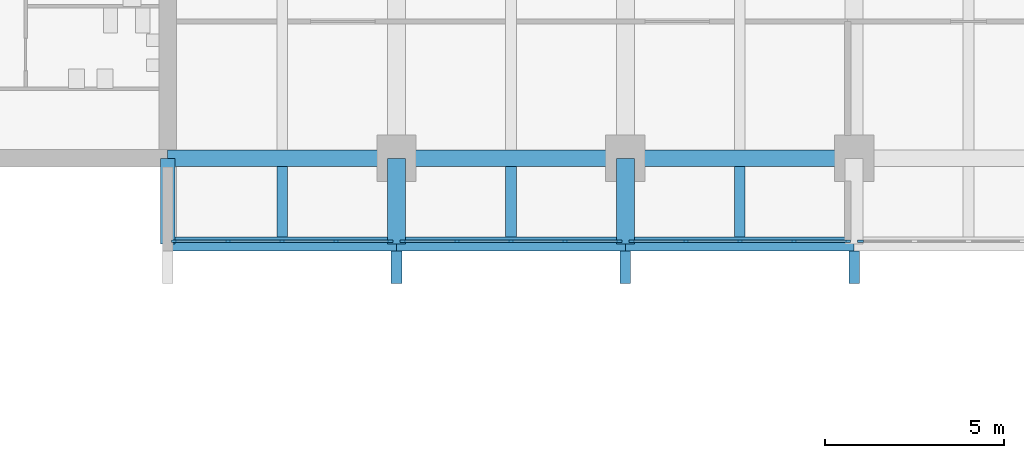
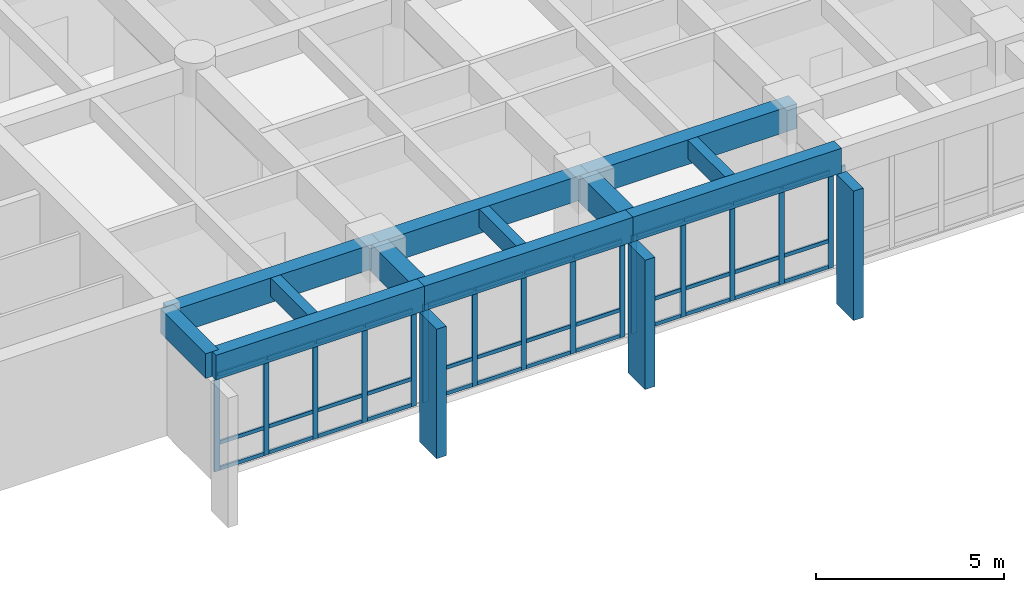
# One storey, part 2 of 18: 55 members, 12 beams, 4 elements without a shape of their own.
"""IFC4 building model written with IfcOpenShell, lengths in metres."""

from ifc_helpers import new_model, si_unit, direction, frame, origin, origin_2d, place, context, subcontext, project, spatial, rectangle, extrude, material, layer, layer_set, material_profile, profile_set, type_object, element, aggregate, save


model = new_model("IFC4")

# Units and contexts
model_context = context("Model", 3, precision=1e-05, world=origin(), true_north=direction((0.0, 1.0)))
body_context = subcontext(model_context, "Body", "Model", "MODEL_VIEW")
ifc_project = project(units=[si_unit("LENGTHUNIT", "METRE"), si_unit("AREAUNIT", "SQUARE_METRE"), si_unit("VOLUMEUNIT", "CUBIC_METRE"), si_unit("PLANEANGLEUNIT", "RADIAN"), si_unit("MASSUNIT", "GRAM", prefix="KILO")], contexts=[model_context])

# Site, building, storey
site_placement = place(None, origin())
site = spatial("IfcSite", under=ifc_project, at=site_placement, CompositionType="ELEMENT")
building_placement = place(site_placement, origin())
building = spatial("IfcBuilding", under=site, at=building_placement, Name="Fogon Plaza Fire Station and Headquarters Tower", CompositionType="ELEMENT")
storey_placement = place(building_placement, frame((0.0, 0.0, 12.89990234375)))
storey = spatial("IfcBuildingStorey", under=building, at=storey_placement, Name="L03", CompositionType="ELEMENT", Elevation=12.89990234375)

# Beams
ifc_material_1 = material(Name="Concrete C40", Category="concrete")
ifc_material_profile_1 = material_profile(ifc_material_1, rectangle(XDim=0.39990234375, YDim=0.800048828125, at=origin_2d()), Name="RC 400x800")
ifc_profile_set_1 = profile_set([ifc_material_profile_1], Name="Concrete C40")
beam_type_1 = type_object("IfcBeamType", Name="BEAM RC 400x800", PredefinedType="BEAM", material=ifc_profile_set_1)
for number, where, z_axis, x_axis, name in (
    (1, (25.60009765625, 31.199951171875, 3.580078125), (1.0, 0.0, 0.0), (0.0, 1.0, 0.0), "beam-L03-039"),
    (2, (32.0, 31.199951171875, 3.580078125), (1.0, 0.0, 0.0), (0.0, 1.0, 0.0), "beam-L03-040"),
):
    element("IfcBeam", number, at=place(storey_placement, frame(where, z_axis=z_axis, x_axis=x_axis)), inside=storey, type_object=beam_type_1, Name=name, PredefinedType="BEAM", context=body_context, shape_type="SweptSolid", body=[
        extrude(rectangle(XDim=0.39990234375, YDim=0.800048828125, at=origin_2d()), origin(), (0.0, 0.0, 1.0), 6.39990234375),
    ])
beam_1_placement = place(storey_placement, frame((38.39990234375, 31.199951171875, 3.580078125), z_axis=(1.0, 0.0, 0.0), x_axis=(0.0, 1.0, 0.0)))
element("IfcBeam", 3, at=beam_1_placement, inside=storey, type_object=beam_type_1, Name="beam-L03-041", PredefinedType="BEAM", context=body_context, shape_type="SweptSolid", body=[
    extrude(rectangle(XDim=0.39990234375, YDim=0.800048828125, at=origin_2d()), origin(), (0.0, 0.0, 1.0), 6.400146484375),
])
ifc_material_2 = material(Name="Concrete C40", Category="concrete")
ifc_material_profile_2 = material_profile(ifc_material_2, rectangle(XDim=0.39990234375, YDim=0.800048828125, at=origin_2d()), Name="RC 400x800")
ifc_profile_set_2 = profile_set([ifc_material_profile_2], Name="Concrete C40")
beam_type_2 = type_object("IfcBeamType", Name="BEAM RC 400x800 SPAN 0.0 TO 3.0 M", PredefinedType="BEAM", material=ifc_profile_set_2)
beam_2_placement = place(storey_placement, frame((25.60009765625, 31.199951171875, 3.580078125), z_axis=(0.0, 1.0, 0.0), x_axis=(-1.0, 0.0, 0.0)))
element("IfcBeam", 4, at=beam_2_placement, inside=storey, type_object=beam_type_2, Name="beam-L03-051", PredefinedType="BEAM", context=body_context, shape_type="SweptSolid", body=[
    extrude(rectangle(XDim=0.39990234375, YDim=0.800048828125, at=origin_2d()), origin(), (0.0, 0.0, 1.0), 2.400146484375),
])
ifc_material_3 = material(Name="Concrete C40", Category="concrete")
ifc_material_profile_3 = material_profile(ifc_material_3, rectangle(XDim=0.449951171875, YDim=0.800048828125, at=origin_2d()), Name="RC 450x800")
ifc_profile_set_3 = profile_set([ifc_material_profile_3], Name="Concrete C40")
beam_type_3 = type_object("IfcBeamType", Name="BEAM RC 450x800", PredefinedType="BEAM", material=ifc_profile_set_3)
for number, where, z_axis, x_axis, name in (
    (5, (25.60009765625, 33.60009765625, 3.580078125), (1.0, 0.0, 0.0), (0.0, 1.0, 0.0), "beam-L03-021"),
    (6, (32.0, 33.60009765625, 3.580078125), (1.0, 0.0, 0.0), (0.0, 1.0, 0.0), "beam-L03-022"),
):
    element("IfcBeam", number, at=place(storey_placement, frame(where, z_axis=z_axis, x_axis=x_axis)), inside=storey, type_object=beam_type_3, Name=name, PredefinedType="BEAM", context=body_context, shape_type="SweptSolid", body=[
        extrude(rectangle(XDim=0.449951171875, YDim=0.800048828125, at=origin_2d()), origin(), (0.0, 0.0, 1.0), 6.39990234375),
    ])
beam_3_placement = place(storey_placement, frame((38.39990234375, 33.60009765625, 3.580078125), z_axis=(1.0, 0.0, 0.0), x_axis=(0.0, 1.0, 0.0)))
element("IfcBeam", 7, at=beam_3_placement, inside=storey, type_object=beam_type_3, Name="beam-L03-023", PredefinedType="BEAM", context=body_context, shape_type="SweptSolid", body=[
    extrude(rectangle(XDim=0.449951171875, YDim=0.800048828125, at=origin_2d()), origin(), (0.0, 0.0, 1.0), 6.400146484375),
])
ifc_material_4 = material(Name="Concrete C40", Category="concrete")
ifc_material_profile_4 = material_profile(ifc_material_4, rectangle(XDim=0.5, YDim=0.89990234375, at=origin_2d()), Name="RC 500x900")
ifc_profile_set_4 = profile_set([ifc_material_profile_4], Name="Concrete C40")
beam_type_4 = type_object("IfcBeamType", Name="BEAM RC 500x900 SPAN 0.0 TO 3.0 M", PredefinedType="BEAM", material=ifc_profile_set_4)
for number, where, z_axis, x_axis, name in (
    (8, (32.0, 31.199951171875, 3.530029296875), (0.0, 1.0, 0.0), (-1.0, 0.0, 0.0), "beam-L03-001"),
    (9, (38.39990234375, 31.199951171875, 3.530029296875), (0.0, 1.0, 0.0), (-1.0, 0.0, 0.0), "beam-L03-005"),
):
    element("IfcBeam", number, at=place(storey_placement, frame(where, z_axis=z_axis, x_axis=x_axis)), inside=storey, type_object=beam_type_4, Name=name, PredefinedType="BEAM", context=body_context, shape_type="SweptSolid", body=[
        extrude(rectangle(XDim=0.5, YDim=0.89990234375, at=origin_2d()), origin(), (0.0, 0.0, 1.0), 2.400146484375),
    ])

# Curtain wall, members
ifc_material_5 = material(Name="Aluminium and glass", Category="aluminium")
ifc_layer = layer(ifc_material_5, 0.14990234375)
ifc_layer_set = layer_set([ifc_layer], Name="Aluminium and glass")
curtain_wall_type = type_object("IfcCurtainWallType", Name="Unitised Curtain Wall Run 6100x3180", PredefinedType="NOTDEFINED", material=ifc_layer_set)
curtain_wall_1_placement = place(storey_placement, origin())
curtain_wall_1 = element("IfcCurtainWall", 10, at=curtain_wall_1_placement, inside=storey, type_object=curtain_wall_type, Name="CW-6100x3180 S1 L03", PredefinedType="NOTDEFINED")
ifc_material_6 = material(Name="Aluminium", Category="aluminium")
ifc_material_profile_5 = material_profile(ifc_material_6, rectangle(XDim=0.06005859375, YDim=0.159912109375, at=origin_2d()), Name="Curtain Wall Mullion 60x160")
ifc_profile_set_5 = profile_set([ifc_material_profile_5], Name="Aluminium")
member_type_1 = type_object("IfcMemberType", Name="Curtain Wall Mullion 60x160", PredefinedType="MULLION", material=ifc_profile_set_5)
member_1_placement = place(storey_placement, frame((25.780029296875, 31.280029296875, 0.0), z_axis=(0.0, 0.0, 1.0), x_axis=(0.0, 1.0, 0.0)))
member_1 = element("IfcMember", 11, at=member_1_placement, type_object=member_type_1, Name="CW-6100x3180 mullion 1", PredefinedType="MULLION", context=body_context, shape_type="SweptSolid", body=[
    extrude(rectangle(XDim=0.06005859375, YDim=0.159912109375, at=origin_2d()), origin(), (0.0, 0.0, 1.0), 3.18017578125),
])
member_2_placement = place(storey_placement, frame((27.2900390625, 31.280029296875, 0.0), z_axis=(0.0, 0.0, 1.0), x_axis=(0.0, 1.0, 0.0)))
member_2 = element("IfcMember", 12, at=member_2_placement, type_object=member_type_1, Name="CW-6100x3180 mullion 2", PredefinedType="MULLION", context=body_context, shape_type="SweptSolid", body=[
    extrude(rectangle(XDim=0.06005859375, YDim=0.159912109375, at=origin_2d()), origin(), (0.0, 0.0, 1.0), 3.18017578125),
])
member_3_placement = place(storey_placement, frame((28.800048828125, 31.280029296875, 0.0), z_axis=(0.0, 0.0, 1.0), x_axis=(0.0, 1.0, 0.0)))
member_3 = element("IfcMember", 13, at=member_3_placement, type_object=member_type_1, Name="CW-6100x3180 mullion 3", PredefinedType="MULLION", context=body_context, shape_type="SweptSolid", body=[
    extrude(rectangle(XDim=0.06005859375, YDim=0.159912109375, at=origin_2d()), origin(), (0.0, 0.0, 1.0), 3.18017578125),
])
member_4_placement = place(storey_placement, frame((30.31005859375, 31.280029296875, 0.0), z_axis=(0.0, 0.0, 1.0), x_axis=(0.0, 1.0, 0.0)))
member_4 = element("IfcMember", 14, at=member_4_placement, type_object=member_type_1, Name="CW-6100x3180 mullion 4", PredefinedType="MULLION", context=body_context, shape_type="SweptSolid", body=[
    extrude(rectangle(XDim=0.06005859375, YDim=0.159912109375, at=origin_2d()), origin(), (0.0, 0.0, 1.0), 3.18017578125),
])
member_5_placement = place(storey_placement, frame((31.820068359375, 31.280029296875, 0.0), z_axis=(0.0, 0.0, 1.0), x_axis=(0.0, 1.0, 0.0)))
member_5 = element("IfcMember", 15, at=member_5_placement, type_object=member_type_1, Name="CW-6100x3180 mullion 5", PredefinedType="MULLION", context=body_context, shape_type="SweptSolid", body=[
    extrude(rectangle(XDim=0.06005859375, YDim=0.159912109375, at=origin_2d()), origin(), (0.0, 0.0, 1.0), 3.18017578125),
])

curtain_wall_2_placement = place(storey_placement, origin())
curtain_wall_2 = element("IfcCurtainWall", 16, at=curtain_wall_2_placement, inside=storey, type_object=curtain_wall_type, Name="CW-6100x3180 S2 L03", PredefinedType="NOTDEFINED")
member_6_placement = place(storey_placement, frame((32.179931640625, 31.280029296875, 0.0), z_axis=(0.0, 0.0, 1.0), x_axis=(0.0, 1.0, 0.0)))
member_6 = element("IfcMember", 17, at=member_6_placement, type_object=member_type_1, Name="CW-6100x3180 mullion 1", PredefinedType="MULLION", context=body_context, shape_type="SweptSolid", body=[
    extrude(rectangle(XDim=0.06005859375, YDim=0.159912109375, at=origin_2d()), origin(), (0.0, 0.0, 1.0), 3.18017578125),
])
member_7_placement = place(storey_placement, frame((33.68994140625, 31.280029296875, 0.0), z_axis=(0.0, 0.0, 1.0), x_axis=(0.0, 1.0, 0.0)))
member_7 = element("IfcMember", 18, at=member_7_placement, type_object=member_type_1, Name="CW-6100x3180 mullion 2", PredefinedType="MULLION", context=body_context, shape_type="SweptSolid", body=[
    extrude(rectangle(XDim=0.06005859375, YDim=0.159912109375, at=origin_2d()), origin(), (0.0, 0.0, 1.0), 3.18017578125),
])
member_8_placement = place(storey_placement, frame((35.199951171875, 31.280029296875, 0.0), z_axis=(0.0, 0.0, 1.0), x_axis=(0.0, 1.0, 0.0)))
member_8 = element("IfcMember", 19, at=member_8_placement, type_object=member_type_1, Name="CW-6100x3180 mullion 3", PredefinedType="MULLION", context=body_context, shape_type="SweptSolid", body=[
    extrude(rectangle(XDim=0.06005859375, YDim=0.159912109375, at=origin_2d()), origin(), (0.0, 0.0, 1.0), 3.18017578125),
])
member_9_placement = place(storey_placement, frame((36.7099609375, 31.280029296875, 0.0), z_axis=(0.0, 0.0, 1.0), x_axis=(0.0, 1.0, 0.0)))
member_9 = element("IfcMember", 20, at=member_9_placement, type_object=member_type_1, Name="CW-6100x3180 mullion 4", PredefinedType="MULLION", context=body_context, shape_type="SweptSolid", body=[
    extrude(rectangle(XDim=0.06005859375, YDim=0.159912109375, at=origin_2d()), origin(), (0.0, 0.0, 1.0), 3.18017578125),
])
member_10_placement = place(storey_placement, frame((38.219970703125, 31.280029296875, 0.0), z_axis=(0.0, 0.0, 1.0), x_axis=(0.0, 1.0, 0.0)))
member_10 = element("IfcMember", 21, at=member_10_placement, type_object=member_type_1, Name="CW-6100x3180 mullion 5", PredefinedType="MULLION", context=body_context, shape_type="SweptSolid", body=[
    extrude(rectangle(XDim=0.06005859375, YDim=0.159912109375, at=origin_2d()), origin(), (0.0, 0.0, 1.0), 3.18017578125),
])

curtain_wall_3_placement = place(storey_placement, origin())
curtain_wall_3 = element("IfcCurtainWall", 22, at=curtain_wall_3_placement, inside=storey, type_object=curtain_wall_type, Name="CW-6100x3180 S3 L03", PredefinedType="NOTDEFINED")
member_11_placement = place(storey_placement, frame((38.580078125, 31.280029296875, 0.0), z_axis=(0.0, 0.0, 1.0), x_axis=(0.0, 1.0, 0.0)))
member_11 = element("IfcMember", 23, at=member_11_placement, type_object=member_type_1, Name="CW-6100x3180 mullion 1", PredefinedType="MULLION", context=body_context, shape_type="SweptSolid", body=[
    extrude(rectangle(XDim=0.06005859375, YDim=0.159912109375, at=origin_2d()), origin(), (0.0, 0.0, 1.0), 3.18017578125),
])
member_12_placement = place(storey_placement, frame((40.090087890625, 31.280029296875, 0.0), z_axis=(0.0, 0.0, 1.0), x_axis=(0.0, 1.0, 0.0)))
member_12 = element("IfcMember", 24, at=member_12_placement, type_object=member_type_1, Name="CW-6100x3180 mullion 2", PredefinedType="MULLION", context=body_context, shape_type="SweptSolid", body=[
    extrude(rectangle(XDim=0.06005859375, YDim=0.159912109375, at=origin_2d()), origin(), (0.0, 0.0, 1.0), 3.18017578125),
])
member_13_placement = place(storey_placement, frame((41.60009765625, 31.280029296875, 0.0), z_axis=(0.0, 0.0, 1.0), x_axis=(0.0, 1.0, 0.0)))
member_13 = element("IfcMember", 25, at=member_13_placement, type_object=member_type_1, Name="CW-6100x3180 mullion 3", PredefinedType="MULLION", context=body_context, shape_type="SweptSolid", body=[
    extrude(rectangle(XDim=0.06005859375, YDim=0.159912109375, at=origin_2d()), origin(), (0.0, 0.0, 1.0), 3.18017578125),
])
member_14_placement = place(storey_placement, frame((43.110107421875, 31.280029296875, 0.0), z_axis=(0.0, 0.0, 1.0), x_axis=(0.0, 1.0, 0.0)))
member_14 = element("IfcMember", 26, at=member_14_placement, type_object=member_type_1, Name="CW-6100x3180 mullion 4", PredefinedType="MULLION", context=body_context, shape_type="SweptSolid", body=[
    extrude(rectangle(XDim=0.06005859375, YDim=0.159912109375, at=origin_2d()), origin(), (0.0, 0.0, 1.0), 3.18017578125),
])
member_15_placement = place(storey_placement, frame((44.6201171875, 31.280029296875, 0.0), z_axis=(0.0, 0.0, 1.0), x_axis=(0.0, 1.0, 0.0)))
member_15 = element("IfcMember", 27, at=member_15_placement, type_object=member_type_1, Name="CW-6100x3180 mullion 5", PredefinedType="MULLION", context=body_context, shape_type="SweptSolid", body=[
    extrude(rectangle(XDim=0.06005859375, YDim=0.159912109375, at=origin_2d()), origin(), (0.0, 0.0, 1.0), 3.18017578125),
])

# Curtain wall, member
curtain_wall_4_placement = place(storey_placement, origin())
curtain_wall_4 = element("IfcCurtainWall", 28, at=curtain_wall_4_placement, inside=storey, type_object=curtain_wall_type, Name="CW-6100x3180 S4 L03", PredefinedType="NOTDEFINED")
member_16_placement = place(storey_placement, frame((44.97998046875, 31.280029296875, 0.0), z_axis=(0.0, 0.0, 1.0), x_axis=(0.0, 1.0, 0.0)))
member_16 = element("IfcMember", 29, at=member_16_placement, type_object=member_type_1, Name="CW-6100x3180 mullion 1", PredefinedType="MULLION", context=body_context, shape_type="SweptSolid", body=[
    extrude(rectangle(XDim=0.06005859375, YDim=0.159912109375, at=origin_2d()), origin(), (0.0, 0.0, 1.0), 3.18017578125),
])
aggregate(curtain_wall_4, [member_16])

# Member
ifc_material_7 = material(Name="Aluminium", Category="aluminium")
ifc_material_profile_6 = material_profile(ifc_material_7, rectangle(XDim=0.06005859375, YDim=0.1201171875, at=origin_2d()), Name="Curtain Wall Transom 60x120")
ifc_profile_set_6 = profile_set([ifc_material_profile_6], Name="Aluminium")
member_type_2 = type_object("IfcMemberType", Name="Curtain Wall Transom 60x120", PredefinedType="USERDEFINED", material=ifc_profile_set_6)
member_17_placement = place(storey_placement, frame((25.81005859375, 31.280029296875, 0.06005859375), z_axis=(1.0, 0.0, 0.0), x_axis=(0.0, 1.0, 0.0)))
member_17 = element("IfcMember", 30, at=member_17_placement, type_object=member_type_2, Name="CW-6100x3180 transom 1.1", ObjectType="TRANSOM", PredefinedType="USERDEFINED", context=body_context, shape_type="SweptSolid", body=[
    extrude(rectangle(XDim=0.06005859375, YDim=0.1201171875, at=origin_2d()), origin(), (0.0, 0.0, 1.0), 1.449951171875),
])

member_18_placement = place(storey_placement, frame((25.81005859375, 31.280029296875, 0.900146484375), z_axis=(1.0, 0.0, 0.0), x_axis=(0.0, 1.0, 0.0)))
member_18 = element("IfcMember", 31, at=member_18_placement, type_object=member_type_2, Name="CW-6100x3180 transom 1.2", ObjectType="TRANSOM", PredefinedType="USERDEFINED", context=body_context, shape_type="SweptSolid", body=[
    extrude(rectangle(XDim=0.06005859375, YDim=0.1201171875, at=origin_2d()), origin(), (0.0, 0.0, 1.0), 1.449951171875),
])

member_19_placement = place(storey_placement, frame((25.81005859375, 31.280029296875, 3.1201171875), z_axis=(1.0, 0.0, 0.0), x_axis=(0.0, 1.0, 0.0)))
member_19 = element("IfcMember", 32, at=member_19_placement, type_object=member_type_2, Name="CW-6100x3180 transom 1.3", ObjectType="TRANSOM", PredefinedType="USERDEFINED", context=body_context, shape_type="SweptSolid", body=[
    extrude(rectangle(XDim=0.06005859375, YDim=0.1201171875, at=origin_2d()), origin(), (0.0, 0.0, 1.0), 1.449951171875),
])

member_20_placement = place(storey_placement, frame((27.320068359375, 31.280029296875, 0.06005859375), z_axis=(1.0, 0.0, 0.0), x_axis=(0.0, 1.0, 0.0)))
member_20 = element("IfcMember", 33, at=member_20_placement, type_object=member_type_2, Name="CW-6100x3180 transom 2.1", ObjectType="TRANSOM", PredefinedType="USERDEFINED", context=body_context, shape_type="SweptSolid", body=[
    extrude(rectangle(XDim=0.06005859375, YDim=0.1201171875, at=origin_2d()), origin(), (0.0, 0.0, 1.0), 1.449951171875),
])

member_21_placement = place(storey_placement, frame((27.320068359375, 31.280029296875, 0.900146484375), z_axis=(1.0, 0.0, 0.0), x_axis=(0.0, 1.0, 0.0)))
member_21 = element("IfcMember", 34, at=member_21_placement, type_object=member_type_2, Name="CW-6100x3180 transom 2.2", ObjectType="TRANSOM", PredefinedType="USERDEFINED", context=body_context, shape_type="SweptSolid", body=[
    extrude(rectangle(XDim=0.06005859375, YDim=0.1201171875, at=origin_2d()), origin(), (0.0, 0.0, 1.0), 1.449951171875),
])

member_22_placement = place(storey_placement, frame((27.320068359375, 31.280029296875, 3.1201171875), z_axis=(1.0, 0.0, 0.0), x_axis=(0.0, 1.0, 0.0)))
member_22 = element("IfcMember", 35, at=member_22_placement, type_object=member_type_2, Name="CW-6100x3180 transom 2.3", ObjectType="TRANSOM", PredefinedType="USERDEFINED", context=body_context, shape_type="SweptSolid", body=[
    extrude(rectangle(XDim=0.06005859375, YDim=0.1201171875, at=origin_2d()), origin(), (0.0, 0.0, 1.0), 1.449951171875),
])

member_23_placement = place(storey_placement, frame((28.830078125, 31.280029296875, 0.06005859375), z_axis=(1.0, 0.0, 0.0), x_axis=(0.0, 1.0, 0.0)))
member_23 = element("IfcMember", 36, at=member_23_placement, type_object=member_type_2, Name="CW-6100x3180 transom 3.1", ObjectType="TRANSOM", PredefinedType="USERDEFINED", context=body_context, shape_type="SweptSolid", body=[
    extrude(rectangle(XDim=0.06005859375, YDim=0.1201171875, at=origin_2d()), origin(), (0.0, 0.0, 1.0), 1.449951171875),
])

member_24_placement = place(storey_placement, frame((28.830078125, 31.280029296875, 0.900146484375), z_axis=(1.0, 0.0, 0.0), x_axis=(0.0, 1.0, 0.0)))
member_24 = element("IfcMember", 37, at=member_24_placement, type_object=member_type_2, Name="CW-6100x3180 transom 3.2", ObjectType="TRANSOM", PredefinedType="USERDEFINED", context=body_context, shape_type="SweptSolid", body=[
    extrude(rectangle(XDim=0.06005859375, YDim=0.1201171875, at=origin_2d()), origin(), (0.0, 0.0, 1.0), 1.449951171875),
])

member_25_placement = place(storey_placement, frame((28.830078125, 31.280029296875, 3.1201171875), z_axis=(1.0, 0.0, 0.0), x_axis=(0.0, 1.0, 0.0)))
member_25 = element("IfcMember", 38, at=member_25_placement, type_object=member_type_2, Name="CW-6100x3180 transom 3.3", ObjectType="TRANSOM", PredefinedType="USERDEFINED", context=body_context, shape_type="SweptSolid", body=[
    extrude(rectangle(XDim=0.06005859375, YDim=0.1201171875, at=origin_2d()), origin(), (0.0, 0.0, 1.0), 1.449951171875),
])

member_26_placement = place(storey_placement, frame((30.340087890625, 31.280029296875, 0.06005859375), z_axis=(1.0, 0.0, 0.0), x_axis=(0.0, 1.0, 0.0)))
member_26 = element("IfcMember", 39, at=member_26_placement, type_object=member_type_2, Name="CW-6100x3180 transom 4.1", ObjectType="TRANSOM", PredefinedType="USERDEFINED", context=body_context, shape_type="SweptSolid", body=[
    extrude(rectangle(XDim=0.06005859375, YDim=0.1201171875, at=origin_2d()), origin(), (0.0, 0.0, 1.0), 1.449951171875),
])

member_27_placement = place(storey_placement, frame((30.340087890625, 31.280029296875, 0.900146484375), z_axis=(1.0, 0.0, 0.0), x_axis=(0.0, 1.0, 0.0)))
member_27 = element("IfcMember", 40, at=member_27_placement, type_object=member_type_2, Name="CW-6100x3180 transom 4.2", ObjectType="TRANSOM", PredefinedType="USERDEFINED", context=body_context, shape_type="SweptSolid", body=[
    extrude(rectangle(XDim=0.06005859375, YDim=0.1201171875, at=origin_2d()), origin(), (0.0, 0.0, 1.0), 1.449951171875),
])

member_28_placement = place(storey_placement, frame((30.340087890625, 31.280029296875, 3.1201171875), z_axis=(1.0, 0.0, 0.0), x_axis=(0.0, 1.0, 0.0)))
member_28 = element("IfcMember", 41, at=member_28_placement, type_object=member_type_2, Name="CW-6100x3180 transom 4.3", ObjectType="TRANSOM", PredefinedType="USERDEFINED", context=body_context, shape_type="SweptSolid", body=[
    extrude(rectangle(XDim=0.06005859375, YDim=0.1201171875, at=origin_2d()), origin(), (0.0, 0.0, 1.0), 1.449951171875),
])

aggregate(curtain_wall_1, [member_1, member_2, member_3, member_4, member_5, member_17, member_18, member_19, member_20, member_21, member_22, member_23, member_24, member_25, member_26, member_27, member_28])

member_29_placement = place(storey_placement, frame((32.2099609375, 31.280029296875, 0.06005859375), z_axis=(1.0, 0.0, 0.0), x_axis=(0.0, 1.0, 0.0)))
member_29 = element("IfcMember", 42, at=member_29_placement, type_object=member_type_2, Name="CW-6100x3180 transom 1.1", ObjectType="TRANSOM", PredefinedType="USERDEFINED", context=body_context, shape_type="SweptSolid", body=[
    extrude(rectangle(XDim=0.06005859375, YDim=0.1201171875, at=origin_2d()), origin(), (0.0, 0.0, 1.0), 1.449951171875),
])

member_30_placement = place(storey_placement, frame((32.2099609375, 31.280029296875, 0.900146484375), z_axis=(1.0, 0.0, 0.0), x_axis=(0.0, 1.0, 0.0)))
member_30 = element("IfcMember", 43, at=member_30_placement, type_object=member_type_2, Name="CW-6100x3180 transom 1.2", ObjectType="TRANSOM", PredefinedType="USERDEFINED", context=body_context, shape_type="SweptSolid", body=[
    extrude(rectangle(XDim=0.06005859375, YDim=0.1201171875, at=origin_2d()), origin(), (0.0, 0.0, 1.0), 1.449951171875),
])

member_31_placement = place(storey_placement, frame((32.2099609375, 31.280029296875, 3.1201171875), z_axis=(1.0, 0.0, 0.0), x_axis=(0.0, 1.0, 0.0)))
member_31 = element("IfcMember", 44, at=member_31_placement, type_object=member_type_2, Name="CW-6100x3180 transom 1.3", ObjectType="TRANSOM", PredefinedType="USERDEFINED", context=body_context, shape_type="SweptSolid", body=[
    extrude(rectangle(XDim=0.06005859375, YDim=0.1201171875, at=origin_2d()), origin(), (0.0, 0.0, 1.0), 1.449951171875),
])

member_32_placement = place(storey_placement, frame((33.719970703125, 31.280029296875, 0.06005859375), z_axis=(1.0, 0.0, 0.0), x_axis=(0.0, 1.0, 0.0)))
member_32 = element("IfcMember", 45, at=member_32_placement, type_object=member_type_2, Name="CW-6100x3180 transom 2.1", ObjectType="TRANSOM", PredefinedType="USERDEFINED", context=body_context, shape_type="SweptSolid", body=[
    extrude(rectangle(XDim=0.06005859375, YDim=0.1201171875, at=origin_2d()), origin(), (0.0, 0.0, 1.0), 1.449951171875),
])

member_33_placement = place(storey_placement, frame((33.719970703125, 31.280029296875, 0.900146484375), z_axis=(1.0, 0.0, 0.0), x_axis=(0.0, 1.0, 0.0)))
member_33 = element("IfcMember", 46, at=member_33_placement, type_object=member_type_2, Name="CW-6100x3180 transom 2.2", ObjectType="TRANSOM", PredefinedType="USERDEFINED", context=body_context, shape_type="SweptSolid", body=[
    extrude(rectangle(XDim=0.06005859375, YDim=0.1201171875, at=origin_2d()), origin(), (0.0, 0.0, 1.0), 1.449951171875),
])

member_34_placement = place(storey_placement, frame((33.719970703125, 31.280029296875, 3.1201171875), z_axis=(1.0, 0.0, 0.0), x_axis=(0.0, 1.0, 0.0)))
member_34 = element("IfcMember", 47, at=member_34_placement, type_object=member_type_2, Name="CW-6100x3180 transom 2.3", ObjectType="TRANSOM", PredefinedType="USERDEFINED", context=body_context, shape_type="SweptSolid", body=[
    extrude(rectangle(XDim=0.06005859375, YDim=0.1201171875, at=origin_2d()), origin(), (0.0, 0.0, 1.0), 1.449951171875),
])

member_35_placement = place(storey_placement, frame((35.22998046875, 31.280029296875, 0.06005859375), z_axis=(1.0, 0.0, 0.0), x_axis=(0.0, 1.0, 0.0)))
member_35 = element("IfcMember", 48, at=member_35_placement, type_object=member_type_2, Name="CW-6100x3180 transom 3.1", ObjectType="TRANSOM", PredefinedType="USERDEFINED", context=body_context, shape_type="SweptSolid", body=[
    extrude(rectangle(XDim=0.06005859375, YDim=0.1201171875, at=origin_2d()), origin(), (0.0, 0.0, 1.0), 1.449951171875),
])

member_36_placement = place(storey_placement, frame((35.22998046875, 31.280029296875, 0.900146484375), z_axis=(1.0, 0.0, 0.0), x_axis=(0.0, 1.0, 0.0)))
member_36 = element("IfcMember", 49, at=member_36_placement, type_object=member_type_2, Name="CW-6100x3180 transom 3.2", ObjectType="TRANSOM", PredefinedType="USERDEFINED", context=body_context, shape_type="SweptSolid", body=[
    extrude(rectangle(XDim=0.06005859375, YDim=0.1201171875, at=origin_2d()), origin(), (0.0, 0.0, 1.0), 1.449951171875),
])

member_37_placement = place(storey_placement, frame((35.22998046875, 31.280029296875, 3.1201171875), z_axis=(1.0, 0.0, 0.0), x_axis=(0.0, 1.0, 0.0)))
member_37 = element("IfcMember", 50, at=member_37_placement, type_object=member_type_2, Name="CW-6100x3180 transom 3.3", ObjectType="TRANSOM", PredefinedType="USERDEFINED", context=body_context, shape_type="SweptSolid", body=[
    extrude(rectangle(XDim=0.06005859375, YDim=0.1201171875, at=origin_2d()), origin(), (0.0, 0.0, 1.0), 1.449951171875),
])

member_38_placement = place(storey_placement, frame((36.739990234375, 31.280029296875, 0.06005859375), z_axis=(1.0, 0.0, 0.0), x_axis=(0.0, 1.0, 0.0)))
member_38 = element("IfcMember", 51, at=member_38_placement, type_object=member_type_2, Name="CW-6100x3180 transom 4.1", ObjectType="TRANSOM", PredefinedType="USERDEFINED", context=body_context, shape_type="SweptSolid", body=[
    extrude(rectangle(XDim=0.06005859375, YDim=0.1201171875, at=origin_2d()), origin(), (0.0, 0.0, 1.0), 1.449951171875),
])

member_39_placement = place(storey_placement, frame((36.739990234375, 31.280029296875, 0.900146484375), z_axis=(1.0, 0.0, 0.0), x_axis=(0.0, 1.0, 0.0)))
member_39 = element("IfcMember", 52, at=member_39_placement, type_object=member_type_2, Name="CW-6100x3180 transom 4.2", ObjectType="TRANSOM", PredefinedType="USERDEFINED", context=body_context, shape_type="SweptSolid", body=[
    extrude(rectangle(XDim=0.06005859375, YDim=0.1201171875, at=origin_2d()), origin(), (0.0, 0.0, 1.0), 1.449951171875),
])

member_40_placement = place(storey_placement, frame((36.739990234375, 31.280029296875, 3.1201171875), z_axis=(1.0, 0.0, 0.0), x_axis=(0.0, 1.0, 0.0)))
member_40 = element("IfcMember", 53, at=member_40_placement, type_object=member_type_2, Name="CW-6100x3180 transom 4.3", ObjectType="TRANSOM", PredefinedType="USERDEFINED", context=body_context, shape_type="SweptSolid", body=[
    extrude(rectangle(XDim=0.06005859375, YDim=0.1201171875, at=origin_2d()), origin(), (0.0, 0.0, 1.0), 1.449951171875),
])

aggregate(curtain_wall_2, [member_6, member_7, member_8, member_9, member_10, member_29, member_30, member_31, member_32, member_33, member_34, member_35, member_36, member_37, member_38, member_39, member_40])

member_41_placement = place(storey_placement, frame((38.610107421875, 31.280029296875, 0.06005859375), z_axis=(1.0, 0.0, 0.0), x_axis=(0.0, 1.0, 0.0)))
member_41 = element("IfcMember", 54, at=member_41_placement, type_object=member_type_2, Name="CW-6100x3180 transom 1.1", ObjectType="TRANSOM", PredefinedType="USERDEFINED", context=body_context, shape_type="SweptSolid", body=[
    extrude(rectangle(XDim=0.06005859375, YDim=0.1201171875, at=origin_2d()), origin(), (0.0, 0.0, 1.0), 1.449951171875),
])

member_42_placement = place(storey_placement, frame((38.610107421875, 31.280029296875, 0.900146484375), z_axis=(1.0, 0.0, 0.0), x_axis=(0.0, 1.0, 0.0)))
member_42 = element("IfcMember", 55, at=member_42_placement, type_object=member_type_2, Name="CW-6100x3180 transom 1.2", ObjectType="TRANSOM", PredefinedType="USERDEFINED", context=body_context, shape_type="SweptSolid", body=[
    extrude(rectangle(XDim=0.06005859375, YDim=0.1201171875, at=origin_2d()), origin(), (0.0, 0.0, 1.0), 1.449951171875),
])

member_43_placement = place(storey_placement, frame((38.610107421875, 31.280029296875, 3.1201171875), z_axis=(1.0, 0.0, 0.0), x_axis=(0.0, 1.0, 0.0)))
member_43 = element("IfcMember", 56, at=member_43_placement, type_object=member_type_2, Name="CW-6100x3180 transom 1.3", ObjectType="TRANSOM", PredefinedType="USERDEFINED", context=body_context, shape_type="SweptSolid", body=[
    extrude(rectangle(XDim=0.06005859375, YDim=0.1201171875, at=origin_2d()), origin(), (0.0, 0.0, 1.0), 1.449951171875),
])

member_44_placement = place(storey_placement, frame((40.1201171875, 31.280029296875, 0.06005859375), z_axis=(1.0, 0.0, 0.0), x_axis=(0.0, 1.0, 0.0)))
member_44 = element("IfcMember", 57, at=member_44_placement, type_object=member_type_2, Name="CW-6100x3180 transom 2.1", ObjectType="TRANSOM", PredefinedType="USERDEFINED", context=body_context, shape_type="SweptSolid", body=[
    extrude(rectangle(XDim=0.06005859375, YDim=0.1201171875, at=origin_2d()), origin(), (0.0, 0.0, 1.0), 1.449951171875),
])

member_45_placement = place(storey_placement, frame((40.1201171875, 31.280029296875, 0.900146484375), z_axis=(1.0, 0.0, 0.0), x_axis=(0.0, 1.0, 0.0)))
member_45 = element("IfcMember", 58, at=member_45_placement, type_object=member_type_2, Name="CW-6100x3180 transom 2.2", ObjectType="TRANSOM", PredefinedType="USERDEFINED", context=body_context, shape_type="SweptSolid", body=[
    extrude(rectangle(XDim=0.06005859375, YDim=0.1201171875, at=origin_2d()), origin(), (0.0, 0.0, 1.0), 1.449951171875),
])

member_46_placement = place(storey_placement, frame((40.1201171875, 31.280029296875, 3.1201171875), z_axis=(1.0, 0.0, 0.0), x_axis=(0.0, 1.0, 0.0)))
member_46 = element("IfcMember", 59, at=member_46_placement, type_object=member_type_2, Name="CW-6100x3180 transom 2.3", ObjectType="TRANSOM", PredefinedType="USERDEFINED", context=body_context, shape_type="SweptSolid", body=[
    extrude(rectangle(XDim=0.06005859375, YDim=0.1201171875, at=origin_2d()), origin(), (0.0, 0.0, 1.0), 1.449951171875),
])

member_47_placement = place(storey_placement, frame((41.6298828125, 31.280029296875, 0.06005859375), z_axis=(1.0, 0.0, 0.0), x_axis=(0.0, 1.0, 0.0)))
member_47 = element("IfcMember", 60, at=member_47_placement, type_object=member_type_2, Name="CW-6100x3180 transom 3.1", ObjectType="TRANSOM", PredefinedType="USERDEFINED", context=body_context, shape_type="SweptSolid", body=[
    extrude(rectangle(XDim=0.06005859375, YDim=0.1201171875, at=origin_2d()), origin(), (0.0, 0.0, 1.0), 1.4501953125),
])

member_48_placement = place(storey_placement, frame((41.6298828125, 31.280029296875, 0.900146484375), z_axis=(1.0, 0.0, 0.0), x_axis=(0.0, 1.0, 0.0)))
member_48 = element("IfcMember", 61, at=member_48_placement, type_object=member_type_2, Name="CW-6100x3180 transom 3.2", ObjectType="TRANSOM", PredefinedType="USERDEFINED", context=body_context, shape_type="SweptSolid", body=[
    extrude(rectangle(XDim=0.06005859375, YDim=0.1201171875, at=origin_2d()), origin(), (0.0, 0.0, 1.0), 1.4501953125),
])

member_49_placement = place(storey_placement, frame((41.6298828125, 31.280029296875, 3.1201171875), z_axis=(1.0, 0.0, 0.0), x_axis=(0.0, 1.0, 0.0)))
member_49 = element("IfcMember", 62, at=member_49_placement, type_object=member_type_2, Name="CW-6100x3180 transom 3.3", ObjectType="TRANSOM", PredefinedType="USERDEFINED", context=body_context, shape_type="SweptSolid", body=[
    extrude(rectangle(XDim=0.06005859375, YDim=0.1201171875, at=origin_2d()), origin(), (0.0, 0.0, 1.0), 1.4501953125),
])

member_50_placement = place(storey_placement, frame((43.139892578125, 31.280029296875, 0.06005859375), z_axis=(1.0, 0.0, 0.0), x_axis=(0.0, 1.0, 0.0)))
member_50 = element("IfcMember", 63, at=member_50_placement, type_object=member_type_2, Name="CW-6100x3180 transom 4.1", ObjectType="TRANSOM", PredefinedType="USERDEFINED", context=body_context, shape_type="SweptSolid", body=[
    extrude(rectangle(XDim=0.06005859375, YDim=0.1201171875, at=origin_2d()), origin(), (0.0, 0.0, 1.0), 1.4501953125),
])

member_51_placement = place(storey_placement, frame((43.139892578125, 31.280029296875, 0.900146484375), z_axis=(1.0, 0.0, 0.0), x_axis=(0.0, 1.0, 0.0)))
member_51 = element("IfcMember", 64, at=member_51_placement, type_object=member_type_2, Name="CW-6100x3180 transom 4.2", ObjectType="TRANSOM", PredefinedType="USERDEFINED", context=body_context, shape_type="SweptSolid", body=[
    extrude(rectangle(XDim=0.06005859375, YDim=0.1201171875, at=origin_2d()), origin(), (0.0, 0.0, 1.0), 1.4501953125),
])

member_52_placement = place(storey_placement, frame((43.139892578125, 31.280029296875, 3.1201171875), z_axis=(1.0, 0.0, 0.0), x_axis=(0.0, 1.0, 0.0)))
member_52 = element("IfcMember", 65, at=member_52_placement, type_object=member_type_2, Name="CW-6100x3180 transom 4.3", ObjectType="TRANSOM", PredefinedType="USERDEFINED", context=body_context, shape_type="SweptSolid", body=[
    extrude(rectangle(XDim=0.06005859375, YDim=0.1201171875, at=origin_2d()), origin(), (0.0, 0.0, 1.0), 1.4501953125),
])

aggregate(curtain_wall_3, [member_11, member_12, member_13, member_14, member_15, member_41, member_42, member_43, member_44, member_45, member_46, member_47, member_48, member_49, member_50, member_51, member_52])

# Beams
ifc_material_8 = material(Name="Concrete C40", Category="concrete")
ifc_material_profile_7 = material_profile(ifc_material_8, rectangle(XDim=0.300048828125, YDim=0.60009765625, at=origin_2d()), Name="RC 300x600")
ifc_profile_set_7 = profile_set([ifc_material_profile_7], Name="Concrete C40")
beam_type_5 = type_object("IfcBeamType", Name="JOIST RC 300x600 SPAN 0.0 TO 3.0 M", PredefinedType="JOIST", material=ifc_profile_set_7)
for number, where, z_axis, x_axis, name in (
    (66, (28.800048828125, 31.39990234375, 3.68017578125), (0.0, 1.0, 0.0), (-1.0, 0.0, 0.0), "beam-L03-055"),
    (67, (35.199951171875, 31.39990234375, 3.68017578125), (0.0, 1.0, 0.0), (-1.0, 0.0, 0.0), "beam-L03-059"),
    (68, (41.60009765625, 31.39990234375, 3.68017578125), (0.0, 1.0, 0.0), (-1.0, 0.0, 0.0), "beam-L03-063"),
):
    element("IfcBeam", number, at=place(storey_placement, frame(where, z_axis=z_axis, x_axis=x_axis)), inside=storey, type_object=beam_type_5, Name=name, PredefinedType="JOIST", context=body_context, shape_type="SweptSolid", body=[
        extrude(rectangle(XDim=0.300048828125, YDim=0.60009765625, at=origin_2d()), origin(), (0.0, 0.0, 1.0), 1.97509765625),
    ])

# Members
ifc_material_9 = material(Name="Concrete C40 precast", Category="concrete")
ifc_material_profile_8 = material_profile(ifc_material_9, rectangle(XDim=0.300048828125, YDim=0.89990234375, at=origin_2d()), Name="Precast Concrete Post 300x900")
ifc_profile_set_8 = profile_set([ifc_material_profile_8], Name="Concrete C40 precast")
member_type_3 = type_object("IfcMemberType", Name="Precast Concrete Post 300x900", PredefinedType="POST", material=ifc_profile_set_8)
for number, where, z_axis, x_axis, name in (
    (69, (32.0, 30.550048828125, -1.02001953125), (0.0, 0.0, 1.0), (1.0, 0.0, 0.0), "Precast Post S L03"),
    (70, (38.39990234375, 30.550048828125, -1.02001953125), (0.0, 0.0, 1.0), (1.0, 0.0, 0.0), "Precast Post S L03"),
    (71, (44.800048828125, 30.550048828125, -1.02001953125), (0.0, 0.0, 1.0), (1.0, 0.0, 0.0), "Precast Post S L03"),
):
    element("IfcMember", number, at=place(storey_placement, frame(where, z_axis=z_axis, x_axis=x_axis)), inside=storey, type_object=member_type_3, Name=name, PredefinedType="POST", context=body_context, shape_type="SweptSolid", body=[
        extrude(rectangle(XDim=0.300048828125, YDim=0.89990234375, at=origin_2d()), origin(), (0.0, 0.0, 1.0), 4.2001953125),
    ])

save(model, "model.ifc")
